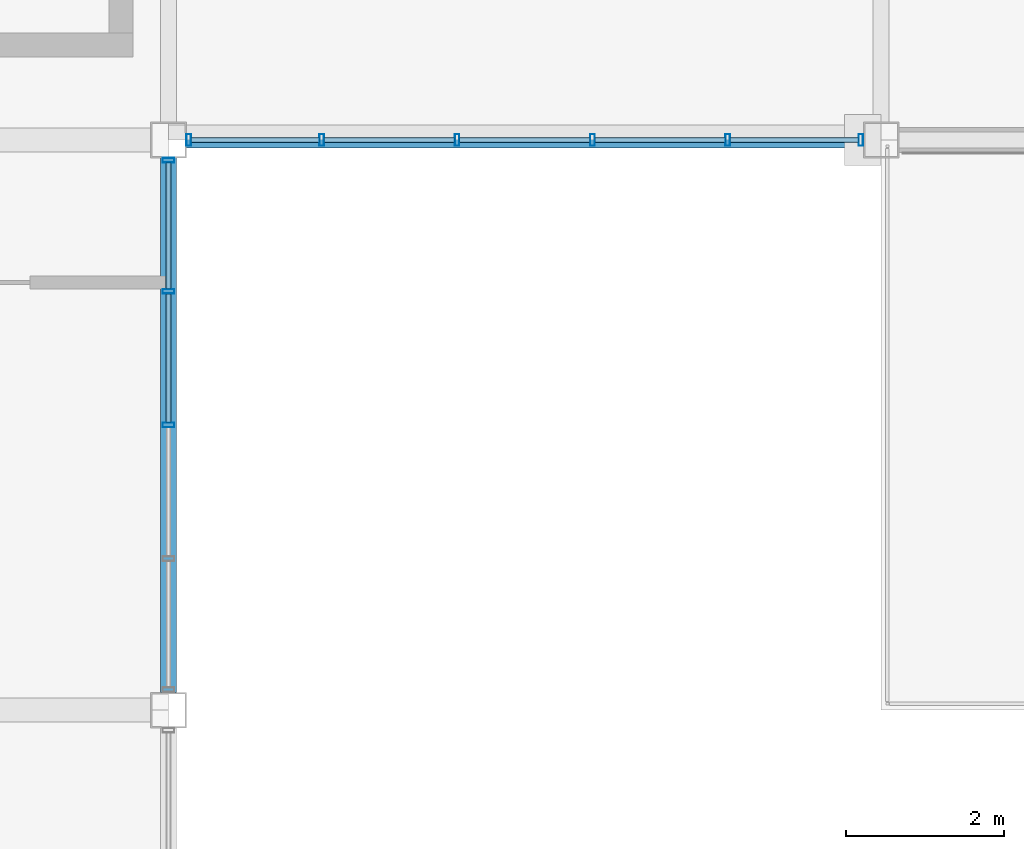
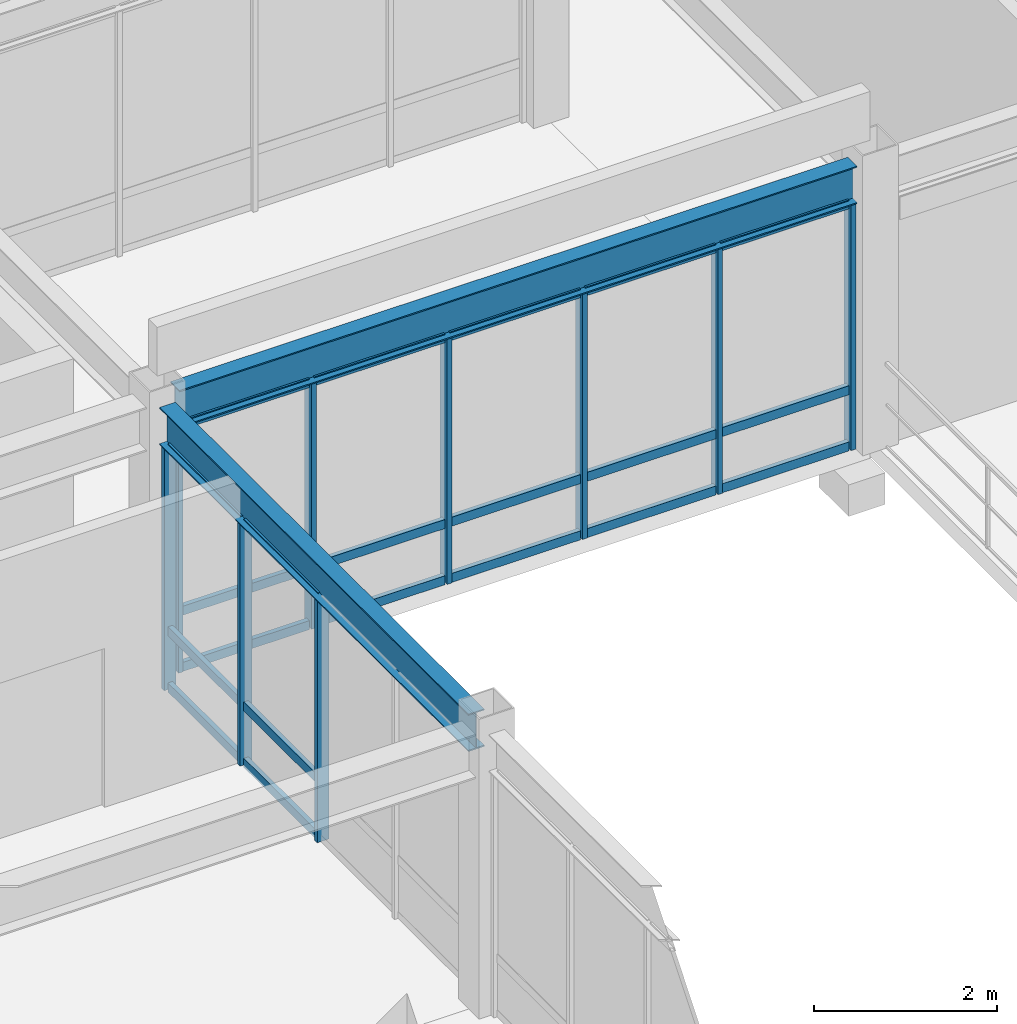
# One storey, part 19 of 122: 30 members, 2 beams, 2 elements without a shape of their own.
"""IFC4 building model written with IfcOpenShell, lengths in metres."""

from ifc_helpers import new_model, si_unit, direction, frame, origin, origin_2d, place, context, subcontext, project, spatial, hollow_rectangle, i_section, extrude, material, material_profile, profile_set, type_object, element, aggregate, save


model = new_model("IFC4")

# Units and contexts
model_context = context("Model", 3, precision=1e-05, world=origin(), true_north=direction((0.0, 1.0)))
body_context = subcontext(model_context, "Body", "Model", "MODEL_VIEW")
ifc_project = project(units=[si_unit("LENGTHUNIT", "METRE"), si_unit("AREAUNIT", "SQUARE_METRE"), si_unit("VOLUMEUNIT", "CUBIC_METRE"), si_unit("PLANEANGLEUNIT", "RADIAN"), si_unit("MASSUNIT", "GRAM", prefix="KILO")], contexts=[model_context])

# Site, building, storey
site_placement = place(None, origin())
site = spatial("IfcSite", under=ifc_project, at=site_placement, CompositionType="ELEMENT")
building_placement = place(site_placement, origin())
building = spatial("IfcBuilding", under=site, at=building_placement, Name="Kazanami Central Library", CompositionType="ELEMENT")
storey_placement = place(building_placement, frame((0.0, 0.0, 4.800048828125)))
storey = spatial("IfcBuildingStorey", under=building, at=storey_placement, Name="L02", CompositionType="ELEMENT", Elevation=4.800048828125)

# Beams
ifc_material_1 = material(Name="Steel SN490B (325 MPa)", Category="steel")
ifc_material_profile_1 = material_profile(ifc_material_1, i_section(OverallWidth=0.199951171875, OverallDepth=0.5, WebThickness=0.010009765625, FlangeThickness=0.01611328125, at=origin_2d()), Name="H-500x200x10x16")
ifc_profile_set_1 = profile_set([ifc_material_profile_1], Name="Steel SN490B (325 MPa)")
beam_type = type_object("IfcBeamType", Name="BM-SP-1", PredefinedType="SPANDREL", material=ifc_profile_set_1)
beam_1_placement = place(storey_placement, frame((36.222900390625, 21.60009765625, 3.5400390625), z_axis=(1.0, 0.0, 0.0), x_axis=(0.0, 1.0, 0.0)))
element("IfcBeam", 1, at=beam_1_placement, inside=storey, type_object=beam_type, Name="Covered Link Bridge Girder SP-1 L02 D/5-6", PredefinedType="SPANDREL", context=body_context, shape_type="SweptSolid", body=[
    extrude(i_section(OverallWidth=0.199951171875, OverallDepth=0.5, WebThickness=0.010009765625, FlangeThickness=0.01611328125, at=origin_2d()), origin(), (0.0, 0.0, 1.0), 8.55419921875),
])
beam_2_placement = place(storey_placement, frame((36.0, 14.623046875, 3.5048828125), z_axis=(0.0, 1.0, 0.0), x_axis=(-1.0, 0.0, 0.0)))
element("IfcBeam", 2, at=beam_2_placement, inside=storey, type_object=beam_type, Name="Girder SP-1 L02 5/C-D", PredefinedType="SPANDREL", context=body_context, shape_type="SweptSolid", body=[
    extrude(i_section(OverallWidth=0.199951171875, OverallDepth=0.5, WebThickness=0.010009765625, FlangeThickness=0.01611328125, at=origin_2d()), origin(), (0.0, 0.0, 1.0), 6.75390625),
])

# Curtain wall, members
ifc_material_2 = material(Name="Acid-Etched Low-E Laminated Glass", Category="glass")
curtain_wall_type_1 = type_object("IfcCurtainWallType", Name="CW-8550x3290-M180", PredefinedType="USERDEFINED", material=ifc_material_2)
curtain_wall_1_placement = place(storey_placement, origin())
curtain_wall_1 = element("IfcCurtainWall", 3, at=curtain_wall_1_placement, inside=storey, type_object=curtain_wall_type_1, Name="Covered Link Bridge Curtain Wall CW-12 L02 S-D-04", ObjectType="UNITISED CURTAIN WALL", PredefinedType="USERDEFINED")
ifc_material_3 = material(Name="Anodised Aluminium A6063-T5", Category="aluminium")
ifc_material_profile_2 = material_profile(ifc_material_3, hollow_rectangle(XDim=0.06005859375, YDim=0.14990234375, WallThickness=0.00390625, at=origin_2d()), Name="ALU-MULL-60x150x4")
ifc_profile_set_2 = profile_set([ifc_material_profile_2], Name="Anodised Aluminium A6063-T5")
member_type_1 = type_object("IfcMemberType", Name="MEM-CW-M3", PredefinedType="MULLION", material=ifc_profile_set_2)
member_1_placement = place(storey_placement, frame((36.2548828125, 21.60009765625, 0.0), z_axis=(0.0, 0.0, 1.0), x_axis=(1.0, 0.0, 0.0)))
member_1 = element("IfcMember", 4, at=member_1_placement, type_object=member_type_1, Name="CW-12 mullion 1", PredefinedType="MULLION", context=body_context, shape_type="SweptSolid", body=[
    extrude(hollow_rectangle(XDim=0.06005859375, YDim=0.14990234375, WallThickness=0.00390625, at=origin_2d()), origin(), (0.0, 0.0, 1.0), 3.2900390625),
])
member_2_placement = place(storey_placement, frame((37.93505859375, 21.60009765625, 0.0), z_axis=(0.0, 0.0, 1.0), x_axis=(1.0, 0.0, 0.0)))
member_2 = element("IfcMember", 5, at=member_2_placement, type_object=member_type_1, Name="CW-12 mullion 2", PredefinedType="MULLION", context=body_context, shape_type="SweptSolid", body=[
    extrude(hollow_rectangle(XDim=0.06005859375, YDim=0.14990234375, WallThickness=0.00390625, at=origin_2d()), origin(), (0.0, 0.0, 1.0), 3.2900390625),
])
member_3_placement = place(storey_placement, frame((39.64501953125, 21.60009765625, 0.0), z_axis=(0.0, 0.0, 1.0), x_axis=(1.0, 0.0, 0.0)))
member_3 = element("IfcMember", 6, at=member_3_placement, type_object=member_type_1, Name="CW-12 mullion 3", PredefinedType="MULLION", context=body_context, shape_type="SweptSolid", body=[
    extrude(hollow_rectangle(XDim=0.06005859375, YDim=0.14990234375, WallThickness=0.00390625, at=origin_2d()), origin(), (0.0, 0.0, 1.0), 3.2900390625),
])
member_4_placement = place(storey_placement, frame((41.35498046875, 21.60009765625, 0.0), z_axis=(0.0, 0.0, 1.0), x_axis=(1.0, 0.0, 0.0)))
member_4 = element("IfcMember", 7, at=member_4_placement, type_object=member_type_1, Name="CW-12 mullion 4", PredefinedType="MULLION", context=body_context, shape_type="SweptSolid", body=[
    extrude(hollow_rectangle(XDim=0.06005859375, YDim=0.14990234375, WallThickness=0.00390625, at=origin_2d()), origin(), (0.0, 0.0, 1.0), 3.2900390625),
])
member_5_placement = place(storey_placement, frame((43.06494140625, 21.60009765625, 0.0), z_axis=(0.0, 0.0, 1.0), x_axis=(1.0, 0.0, 0.0)))
member_5 = element("IfcMember", 8, at=member_5_placement, type_object=member_type_1, Name="CW-12 mullion 5", PredefinedType="MULLION", context=body_context, shape_type="SweptSolid", body=[
    extrude(hollow_rectangle(XDim=0.06005859375, YDim=0.14990234375, WallThickness=0.00390625, at=origin_2d()), origin(), (0.0, 0.0, 1.0), 3.2900390625),
])
member_6_placement = place(storey_placement, frame((44.7451171875, 21.60009765625, 0.0), z_axis=(0.0, 0.0, 1.0), x_axis=(1.0, 0.0, 0.0)))
member_6 = element("IfcMember", 9, at=member_6_placement, type_object=member_type_1, Name="CW-12 mullion 6", PredefinedType="MULLION", context=body_context, shape_type="SweptSolid", body=[
    extrude(hollow_rectangle(XDim=0.06005859375, YDim=0.14990234375, WallThickness=0.00390625, at=origin_2d()), origin(), (0.0, 0.0, 1.0), 3.2900390625),
])

curtain_wall_type_2 = type_object("IfcCurtainWallType", Name="CW-6750x3255-M180", PredefinedType="USERDEFINED", material=ifc_material_2)
curtain_wall_2_placement = place(storey_placement, origin())
curtain_wall_2 = element("IfcCurtainWall", 10, at=curtain_wall_2_placement, inside=storey, type_object=curtain_wall_type_2, Name="Covered Link Bridge Curtain Wall CW-21 L02 E-5-02", ObjectType="UNITISED CURTAIN WALL", PredefinedType="USERDEFINED")
member_7_placement = place(storey_placement, frame((36.0, 21.344970703125, 0.0), z_axis=(0.0, 0.0, 1.0), x_axis=(0.0, -1.0, 0.0)))
member_7 = element("IfcMember", 11, at=member_7_placement, type_object=member_type_1, Name="CW-21 mullion 1", PredefinedType="MULLION", context=body_context, shape_type="SweptSolid", body=[
    extrude(hollow_rectangle(XDim=0.06005859375, YDim=0.14990234375, WallThickness=0.00390625, at=origin_2d()), origin(), (0.0, 0.0, 1.0), 3.2548828125),
])
member_8_placement = place(storey_placement, frame((36.0, 19.6875, 0.0), z_axis=(0.0, 0.0, 1.0), x_axis=(0.0, -1.0, 0.0)))
member_8 = element("IfcMember", 12, at=member_8_placement, type_object=member_type_1, Name="CW-21 mullion 2", PredefinedType="MULLION", context=body_context, shape_type="SweptSolid", body=[
    extrude(hollow_rectangle(XDim=0.06005859375, YDim=0.14990234375, WallThickness=0.00390625, at=origin_2d()), origin(), (0.0, 0.0, 1.0), 3.2548828125),
])
member_9_placement = place(storey_placement, frame((36.0, 18.0, 0.0), z_axis=(0.0, 0.0, 1.0), x_axis=(0.0, -1.0, 0.0)))
member_9 = element("IfcMember", 13, at=member_9_placement, type_object=member_type_1, Name="CW-21 mullion 3", PredefinedType="MULLION", context=body_context, shape_type="SweptSolid", body=[
    extrude(hollow_rectangle(XDim=0.06005859375, YDim=0.14990234375, WallThickness=0.00390625, at=origin_2d()), origin(), (0.0, 0.0, 1.0), 3.2548828125),
])

# Member
ifc_material_profile_3 = material_profile(ifc_material_3, hollow_rectangle(XDim=0.06005859375, YDim=0.1201171875, WallThickness=0.00341796875, at=origin_2d()), Name="ALU-TRAN-60x120x3.5")
ifc_profile_set_3 = profile_set([ifc_material_profile_3], Name="Anodised Aluminium A6063-T5")
member_type_2 = type_object("IfcMemberType", Name="MEM-CW-T3", PredefinedType="USERDEFINED", material=ifc_profile_set_3)
member_10_placement = place(storey_placement, frame((36.284912109375, 21.60009765625, 0.030029296875), z_axis=(1.0, 0.0, 0.0), x_axis=(0.0, 1.0, 0.0)))
member_10 = element("IfcMember", 14, at=member_10_placement, type_object=member_type_2, Name="CW-12 transom 1.1", ObjectType="TRANSOM", PredefinedType="USERDEFINED", context=body_context, shape_type="SweptSolid", body=[
    extrude(hollow_rectangle(XDim=0.06005859375, YDim=0.1201171875, WallThickness=0.00341796875, at=origin_2d()), origin(), (0.0, 0.0, 1.0), 1.6201171875),
])

member_11_placement = place(storey_placement, frame((36.284912109375, 21.60009765625, 0.780029296875), z_axis=(1.0, 0.0, 0.0), x_axis=(0.0, 1.0, 0.0)))
member_11 = element("IfcMember", 15, at=member_11_placement, type_object=member_type_2, Name="CW-12 transom 1.2", ObjectType="TRANSOM", PredefinedType="USERDEFINED", context=body_context, shape_type="SweptSolid", body=[
    extrude(hollow_rectangle(XDim=0.06005859375, YDim=0.1201171875, WallThickness=0.00341796875, at=origin_2d()), origin(), (0.0, 0.0, 1.0), 1.6201171875),
])

member_12_placement = place(storey_placement, frame((36.284912109375, 21.60009765625, 3.260009765625), z_axis=(1.0, 0.0, 0.0), x_axis=(0.0, 1.0, 0.0)))
member_12 = element("IfcMember", 16, at=member_12_placement, type_object=member_type_2, Name="CW-12 transom 1.3", ObjectType="TRANSOM", PredefinedType="USERDEFINED", context=body_context, shape_type="SweptSolid", body=[
    extrude(hollow_rectangle(XDim=0.06005859375, YDim=0.1201171875, WallThickness=0.00341796875, at=origin_2d()), origin(), (0.0, 0.0, 1.0), 1.6201171875),
])

member_13_placement = place(storey_placement, frame((37.965087890625, 21.60009765625, 0.030029296875), z_axis=(1.0, 0.0, 0.0), x_axis=(0.0, 1.0, 0.0)))
member_13 = element("IfcMember", 17, at=member_13_placement, type_object=member_type_2, Name="CW-12 transom 2.1", ObjectType="TRANSOM", PredefinedType="USERDEFINED", context=body_context, shape_type="SweptSolid", body=[
    extrude(hollow_rectangle(XDim=0.06005859375, YDim=0.1201171875, WallThickness=0.00341796875, at=origin_2d()), origin(), (0.0, 0.0, 1.0), 1.64990234375),
])

member_14_placement = place(storey_placement, frame((37.965087890625, 21.60009765625, 0.780029296875), z_axis=(1.0, 0.0, 0.0), x_axis=(0.0, 1.0, 0.0)))
member_14 = element("IfcMember", 18, at=member_14_placement, type_object=member_type_2, Name="CW-12 transom 2.2", ObjectType="TRANSOM", PredefinedType="USERDEFINED", context=body_context, shape_type="SweptSolid", body=[
    extrude(hollow_rectangle(XDim=0.06005859375, YDim=0.1201171875, WallThickness=0.00341796875, at=origin_2d()), origin(), (0.0, 0.0, 1.0), 1.64990234375),
])

member_15_placement = place(storey_placement, frame((37.965087890625, 21.60009765625, 3.260009765625), z_axis=(1.0, 0.0, 0.0), x_axis=(0.0, 1.0, 0.0)))
member_15 = element("IfcMember", 19, at=member_15_placement, type_object=member_type_2, Name="CW-12 transom 2.3", ObjectType="TRANSOM", PredefinedType="USERDEFINED", context=body_context, shape_type="SweptSolid", body=[
    extrude(hollow_rectangle(XDim=0.06005859375, YDim=0.1201171875, WallThickness=0.00341796875, at=origin_2d()), origin(), (0.0, 0.0, 1.0), 1.64990234375),
])

member_16_placement = place(storey_placement, frame((39.675048828125, 21.60009765625, 0.030029296875), z_axis=(1.0, 0.0, 0.0), x_axis=(0.0, 1.0, 0.0)))
member_16 = element("IfcMember", 20, at=member_16_placement, type_object=member_type_2, Name="CW-12 transom 3.1", ObjectType="TRANSOM", PredefinedType="USERDEFINED", context=body_context, shape_type="SweptSolid", body=[
    extrude(hollow_rectangle(XDim=0.06005859375, YDim=0.1201171875, WallThickness=0.00341796875, at=origin_2d()), origin(), (0.0, 0.0, 1.0), 1.64990234375),
])

member_17_placement = place(storey_placement, frame((39.675048828125, 21.60009765625, 0.780029296875), z_axis=(1.0, 0.0, 0.0), x_axis=(0.0, 1.0, 0.0)))
member_17 = element("IfcMember", 21, at=member_17_placement, type_object=member_type_2, Name="CW-12 transom 3.2", ObjectType="TRANSOM", PredefinedType="USERDEFINED", context=body_context, shape_type="SweptSolid", body=[
    extrude(hollow_rectangle(XDim=0.06005859375, YDim=0.1201171875, WallThickness=0.00341796875, at=origin_2d()), origin(), (0.0, 0.0, 1.0), 1.64990234375),
])

member_18_placement = place(storey_placement, frame((39.675048828125, 21.60009765625, 3.260009765625), z_axis=(1.0, 0.0, 0.0), x_axis=(0.0, 1.0, 0.0)))
member_18 = element("IfcMember", 22, at=member_18_placement, type_object=member_type_2, Name="CW-12 transom 3.3", ObjectType="TRANSOM", PredefinedType="USERDEFINED", context=body_context, shape_type="SweptSolid", body=[
    extrude(hollow_rectangle(XDim=0.06005859375, YDim=0.1201171875, WallThickness=0.00341796875, at=origin_2d()), origin(), (0.0, 0.0, 1.0), 1.64990234375),
])

member_19_placement = place(storey_placement, frame((41.385009765625, 21.60009765625, 0.030029296875), z_axis=(1.0, 0.0, 0.0), x_axis=(0.0, 1.0, 0.0)))
member_19 = element("IfcMember", 23, at=member_19_placement, type_object=member_type_2, Name="CW-12 transom 4.1", ObjectType="TRANSOM", PredefinedType="USERDEFINED", context=body_context, shape_type="SweptSolid", body=[
    extrude(hollow_rectangle(XDim=0.06005859375, YDim=0.1201171875, WallThickness=0.00341796875, at=origin_2d()), origin(), (0.0, 0.0, 1.0), 1.64990234375),
])

member_20_placement = place(storey_placement, frame((41.385009765625, 21.60009765625, 0.780029296875), z_axis=(1.0, 0.0, 0.0), x_axis=(0.0, 1.0, 0.0)))
member_20 = element("IfcMember", 24, at=member_20_placement, type_object=member_type_2, Name="CW-12 transom 4.2", ObjectType="TRANSOM", PredefinedType="USERDEFINED", context=body_context, shape_type="SweptSolid", body=[
    extrude(hollow_rectangle(XDim=0.06005859375, YDim=0.1201171875, WallThickness=0.00341796875, at=origin_2d()), origin(), (0.0, 0.0, 1.0), 1.64990234375),
])

member_21_placement = place(storey_placement, frame((41.385009765625, 21.60009765625, 3.260009765625), z_axis=(1.0, 0.0, 0.0), x_axis=(0.0, 1.0, 0.0)))
member_21 = element("IfcMember", 25, at=member_21_placement, type_object=member_type_2, Name="CW-12 transom 4.3", ObjectType="TRANSOM", PredefinedType="USERDEFINED", context=body_context, shape_type="SweptSolid", body=[
    extrude(hollow_rectangle(XDim=0.06005859375, YDim=0.1201171875, WallThickness=0.00341796875, at=origin_2d()), origin(), (0.0, 0.0, 1.0), 1.64990234375),
])

member_22_placement = place(storey_placement, frame((43.094970703125, 21.60009765625, 0.030029296875), z_axis=(1.0, 0.0, 0.0), x_axis=(0.0, 1.0, 0.0)))
member_22 = element("IfcMember", 26, at=member_22_placement, type_object=member_type_2, Name="CW-12 transom 5.1", ObjectType="TRANSOM", PredefinedType="USERDEFINED", context=body_context, shape_type="SweptSolid", body=[
    extrude(hollow_rectangle(XDim=0.06005859375, YDim=0.1201171875, WallThickness=0.00341796875, at=origin_2d()), origin(), (0.0, 0.0, 1.0), 1.6201171875),
])

member_23_placement = place(storey_placement, frame((43.094970703125, 21.60009765625, 0.780029296875), z_axis=(1.0, 0.0, 0.0), x_axis=(0.0, 1.0, 0.0)))
member_23 = element("IfcMember", 27, at=member_23_placement, type_object=member_type_2, Name="CW-12 transom 5.2", ObjectType="TRANSOM", PredefinedType="USERDEFINED", context=body_context, shape_type="SweptSolid", body=[
    extrude(hollow_rectangle(XDim=0.06005859375, YDim=0.1201171875, WallThickness=0.00341796875, at=origin_2d()), origin(), (0.0, 0.0, 1.0), 1.6201171875),
])

member_24_placement = place(storey_placement, frame((43.094970703125, 21.60009765625, 3.260009765625), z_axis=(1.0, 0.0, 0.0), x_axis=(0.0, 1.0, 0.0)))
member_24 = element("IfcMember", 28, at=member_24_placement, type_object=member_type_2, Name="CW-12 transom 5.3", ObjectType="TRANSOM", PredefinedType="USERDEFINED", context=body_context, shape_type="SweptSolid", body=[
    extrude(hollow_rectangle(XDim=0.06005859375, YDim=0.1201171875, WallThickness=0.00341796875, at=origin_2d()), origin(), (0.0, 0.0, 1.0), 1.6201171875),
])

aggregate(curtain_wall_1, [member_1, member_2, member_3, member_4, member_5, member_6, member_10, member_11, member_12, member_13, member_14, member_15, member_16, member_17, member_18, member_19, member_20, member_21, member_22, member_23, member_24])

member_25_placement = place(storey_placement, frame((36.0, 21.31494140625, 0.030029296875), z_axis=(0.0, -1.0, 0.0), x_axis=(1.0, 0.0, 0.0)))
member_25 = element("IfcMember", 29, at=member_25_placement, type_object=member_type_2, Name="CW-21 transom 1.1", ObjectType="TRANSOM", PredefinedType="USERDEFINED", context=body_context, shape_type="SweptSolid", body=[
    extrude(hollow_rectangle(XDim=0.06005859375, YDim=0.1201171875, WallThickness=0.00341796875, at=origin_2d()), origin(), (0.0, 0.0, 1.0), 1.597412109375),
])

member_26_placement = place(storey_placement, frame((36.0, 21.31494140625, 0.780029296875), z_axis=(0.0, -1.0, 0.0), x_axis=(1.0, 0.0, 0.0)))
member_26 = element("IfcMember", 30, at=member_26_placement, type_object=member_type_2, Name="CW-21 transom 1.2", ObjectType="TRANSOM", PredefinedType="USERDEFINED", context=body_context, shape_type="SweptSolid", body=[
    extrude(hollow_rectangle(XDim=0.06005859375, YDim=0.1201171875, WallThickness=0.00341796875, at=origin_2d()), origin(), (0.0, 0.0, 1.0), 1.597412109375),
])

member_27_placement = place(storey_placement, frame((36.0, 21.31494140625, 3.224853515625), z_axis=(0.0, -1.0, 0.0), x_axis=(1.0, 0.0, 0.0)))
member_27 = element("IfcMember", 31, at=member_27_placement, type_object=member_type_2, Name="CW-21 transom 1.3", ObjectType="TRANSOM", PredefinedType="USERDEFINED", context=body_context, shape_type="SweptSolid", body=[
    extrude(hollow_rectangle(XDim=0.06005859375, YDim=0.1201171875, WallThickness=0.00341796875, at=origin_2d()), origin(), (0.0, 0.0, 1.0), 1.597412109375),
])

member_28_placement = place(storey_placement, frame((36.0, 19.657470703125, 0.030029296875), z_axis=(0.0, -1.0, 0.0), x_axis=(1.0, 0.0, 0.0)))
member_28 = element("IfcMember", 32, at=member_28_placement, type_object=member_type_2, Name="CW-21 transom 2.1", ObjectType="TRANSOM", PredefinedType="USERDEFINED", context=body_context, shape_type="SweptSolid", body=[
    extrude(hollow_rectangle(XDim=0.06005859375, YDim=0.1201171875, WallThickness=0.00341796875, at=origin_2d()), origin(), (0.0, 0.0, 1.0), 1.62744140625),
])

member_29_placement = place(storey_placement, frame((36.0, 19.657470703125, 0.780029296875), z_axis=(0.0, -1.0, 0.0), x_axis=(1.0, 0.0, 0.0)))
member_29 = element("IfcMember", 33, at=member_29_placement, type_object=member_type_2, Name="CW-21 transom 2.2", ObjectType="TRANSOM", PredefinedType="USERDEFINED", context=body_context, shape_type="SweptSolid", body=[
    extrude(hollow_rectangle(XDim=0.06005859375, YDim=0.1201171875, WallThickness=0.00341796875, at=origin_2d()), origin(), (0.0, 0.0, 1.0), 1.62744140625),
])

member_30_placement = place(storey_placement, frame((36.0, 19.657470703125, 3.224853515625), z_axis=(0.0, -1.0, 0.0), x_axis=(1.0, 0.0, 0.0)))
member_30 = element("IfcMember", 34, at=member_30_placement, type_object=member_type_2, Name="CW-21 transom 2.3", ObjectType="TRANSOM", PredefinedType="USERDEFINED", context=body_context, shape_type="SweptSolid", body=[
    extrude(hollow_rectangle(XDim=0.06005859375, YDim=0.1201171875, WallThickness=0.00341796875, at=origin_2d()), origin(), (0.0, 0.0, 1.0), 1.62744140625),
])

aggregate(curtain_wall_2, [member_7, member_8, member_9, member_25, member_26, member_27, member_28, member_29, member_30])

save(model, "model.ifc")
